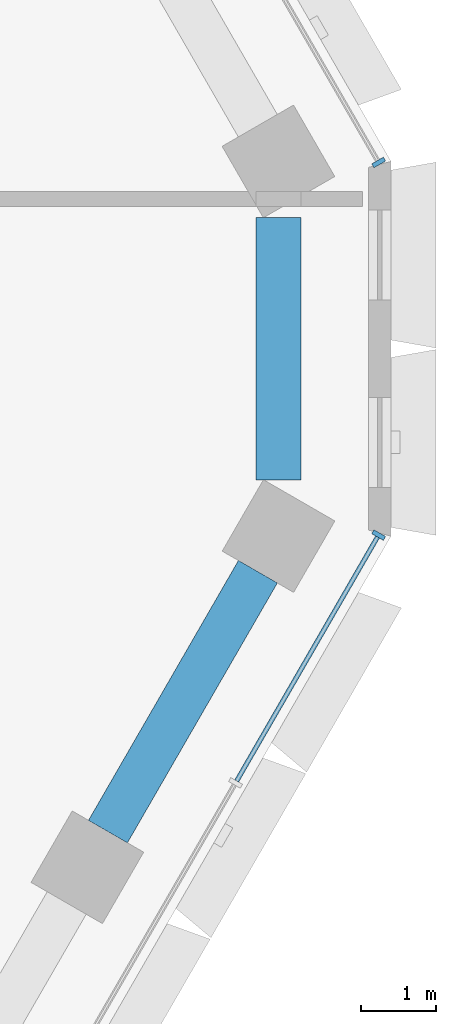
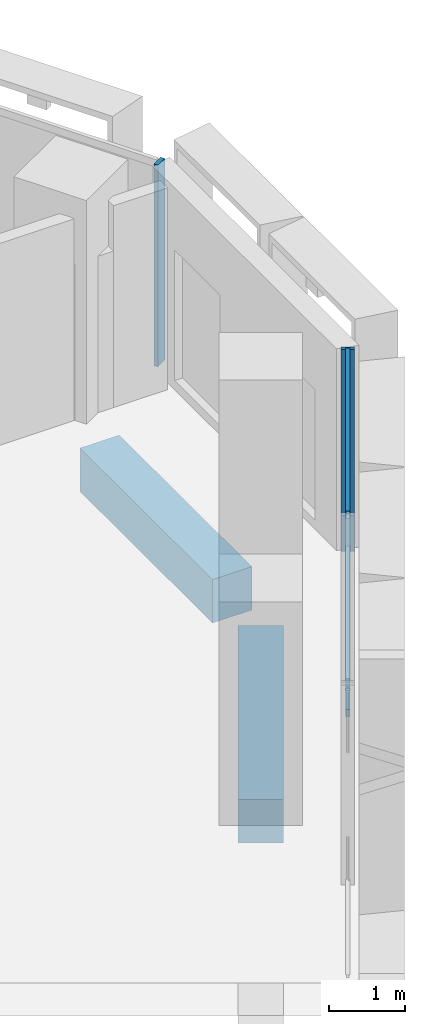
# One storey, part 5 of 25: 4 members, 2 beams, 2 elements without a shape of their own.
"""IFC4 building model written with IfcOpenShell, lengths in metres."""

from ifc_helpers import new_model, si_unit, direction, frame, origin, origin_2d, place, context, subcontext, project, spatial, rectangle, hollow_rectangle, extrude, material, material_profile, profile_set, type_object, element, aggregate, save


model = new_model("IFC4")

# Units and contexts
model_context = context("Model", 3, precision=1e-05, world=origin(), true_north=direction((0.0, 1.0)))
body_context = subcontext(model_context, "Body", "Model", "MODEL_VIEW")
ifc_project = project(units=[si_unit("LENGTHUNIT", "METRE"), si_unit("AREAUNIT", "SQUARE_METRE"), si_unit("VOLUMEUNIT", "CUBIC_METRE"), si_unit("PLANEANGLEUNIT", "RADIAN"), si_unit("MASSUNIT", "GRAM", prefix="KILO")], contexts=[model_context])

# Site, building, storey
site_placement = place(None, origin())
site = spatial("IfcSite", under=ifc_project, at=site_placement, CompositionType="ELEMENT")
building_placement = place(site_placement, origin())
building = spatial("IfcBuilding", under=site, at=building_placement, Name="Beryl Residences", CompositionType="ELEMENT")
storey_placement = place(building_placement, frame((0.0, 0.0, 16.199951171875)))
storey = spatial("IfcBuildingStorey", under=building, at=storey_placement, Name="L04", CompositionType="ELEMENT", Elevation=16.199951171875)

# Curtain wall, member
ifc_material_1 = material(Name="Aluminium and clear glass", Category="aluminium")
curtain_wall_type = type_object("IfcCurtainWallType", Name="CW2 amenity glazing glazed wall", PredefinedType="NOTDEFINED", material=ifc_material_1)
curtain_wall_1_placement = place(storey_placement, origin())
curtain_wall_1 = element("IfcCurtainWall", 1, at=curtain_wall_1_placement, inside=storey, type_object=curtain_wall_type, Name="CW2 L04 SE", PredefinedType="NOTDEFINED")
ifc_material_2 = material(Name="Aluminium", Category="aluminium")
ifc_material_profile_1 = material_profile(ifc_material_2, rectangle(XDim=0.06005859375, YDim=0.179931640625, at=origin_2d()))
ifc_profile_set_1 = profile_set([ifc_material_profile_1], Name="Aluminium")
member_type_1 = type_object("IfcMemberType", Name="CW2-M mullion 60 x 180 mm", PredefinedType="MULLION", material=ifc_profile_set_1)
member_1_placement = place(storey_placement, frame((31.18505859375, -2.486083984375, 0.0), z_axis=(0.0, 0.0, 1.0), x_axis=(0.500011643322, 0.866018681405, 0.0)))
member_1 = element("IfcMember", 2, at=member_1_placement, type_object=member_type_1, Name="CW2 mullion 8", PredefinedType="MULLION", context=body_context, shape_type="SweptSolid", body=[
    extrude(rectangle(XDim=0.06005859375, YDim=0.179931640625, at=origin_2d()), origin(), (0.0, 0.0, 1.0), 3.25),
])

curtain_wall_2_placement = place(storey_placement, origin())
curtain_wall_2 = element("IfcCurtainWall", 3, at=curtain_wall_2_placement, inside=storey, type_object=curtain_wall_type, Name="CW2 L04 NE", PredefinedType="NOTDEFINED")
member_2_placement = place(storey_placement, frame((31.18505859375, 2.486083984375, 0.0), z_axis=(0.0, 0.0, 1.0), x_axis=(-0.500011643322, 0.866018681405, 0.0)))
member_2 = element("IfcMember", 4, at=member_2_placement, type_object=member_type_1, Name="CW2 mullion 1", PredefinedType="MULLION", context=body_context, shape_type="SweptSolid", body=[
    extrude(rectangle(XDim=0.06005859375, YDim=0.179931640625, at=origin_2d()), origin(), (0.0, 0.0, 1.0), 3.25),
])
aggregate(curtain_wall_2, [member_2])

# Member
ifc_material_3 = material(Name="Aluminium", Category="aluminium")
ifc_material_profile_2 = material_profile(ifc_material_3, hollow_rectangle(XDim=0.06005859375, YDim=0.1201171875, WallThickness=0.00390625, at=origin_2d()))
ifc_profile_set_2 = profile_set([ifc_material_profile_2], Name="Aluminium")
member_type_2 = type_object("IfcMemberType", Name="CW2-T transom 60 x 120 mm", PredefinedType="USERDEFINED", material=ifc_profile_set_2)
member_3_placement = place(storey_placement, frame((29.290771484375, -5.766845703125, 0.030029296875), z_axis=(0.499988609959, 0.866031979728, 0.0), x_axis=(-0.866031979728, 0.499988609959, 0.0)))
member_3 = element("IfcMember", 5, at=member_3_placement, type_object=member_type_2, Name="CW2 transom 7.1", ObjectType="TRANSOM", PredefinedType="USERDEFINED", context=body_context, shape_type="SweptSolid", body=[
    extrude(hollow_rectangle(XDim=0.06005859375, YDim=0.1201171875, WallThickness=0.00390625, at=origin_2d()), origin(), (0.0, 0.0, 1.0), 3.75830078125),
])

member_4_placement = place(storey_placement, frame((29.290771484375, -5.766845703125, 3.219970703125), z_axis=(0.499988609959, 0.866031979728, 0.0), x_axis=(-0.866031979728, 0.499988609959, 0.0)))
member_4 = element("IfcMember", 6, at=member_4_placement, type_object=member_type_2, Name="CW2 transom 7.2", ObjectType="TRANSOM", PredefinedType="USERDEFINED", context=body_context, shape_type="SweptSolid", body=[
    extrude(hollow_rectangle(XDim=0.06005859375, YDim=0.1201171875, WallThickness=0.00390625, at=origin_2d()), origin(), (0.0, 0.0, 1.0), 3.75830078125),
])

aggregate(curtain_wall_1, [member_1, member_3, member_4])

# Beams
ifc_material_4 = material(Name="Concrete C80/95", Category="concrete")
ifc_material_profile_3 = material_profile(ifc_material_4, rectangle(XDim=0.60009765625, YDim=0.699951171875, at=origin_2d()))
ifc_profile_set_3 = profile_set([ifc_material_profile_3], Name="Concrete C80/95")
beam_type = type_object("IfcBeamType", Name="SB1 spandrel beam 600 x 700 C80/95", PredefinedType="SPANDREL", material=ifc_profile_set_3)
beam_1_placement = place(storey_placement, frame((27.572998046875, -6.443115234375, -0.699951171875), z_axis=(0.499759404093, 0.866164267342, 0.0), x_axis=(-0.866164267342, 0.499759404093, 0.0)))
element("IfcBeam", 7, at=beam_1_placement, inside=storey, type_object=beam_type, Name="SB1 L04 SE-4", PredefinedType="SPANDREL", context=body_context, shape_type="SweptSolid", body=[
    extrude(rectangle(XDim=0.60009765625, YDim=0.699951171875, at=origin_2d()), origin(), (0.0, 0.0, 1.0), 4.00390625),
])
beam_2_placement = place(storey_placement, frame((29.84912109375, -1.748046875, -0.699951171875), z_axis=(-0.000349064486, 0.999999939077, 0.0), x_axis=(-0.999999939077, -0.000349064486, 0.0)))
element("IfcBeam", 8, at=beam_2_placement, inside=storey, type_object=beam_type, Name="SB1 L04 SE-5", PredefinedType="SPANDREL", context=body_context, shape_type="SweptSolid", body=[
    extrude(rectangle(XDim=0.60009765625, YDim=0.699951171875, at=origin_2d()), origin(), (0.0, 0.0, 1.0), 3.4970703125),
])

save(model, "model.ifc")
